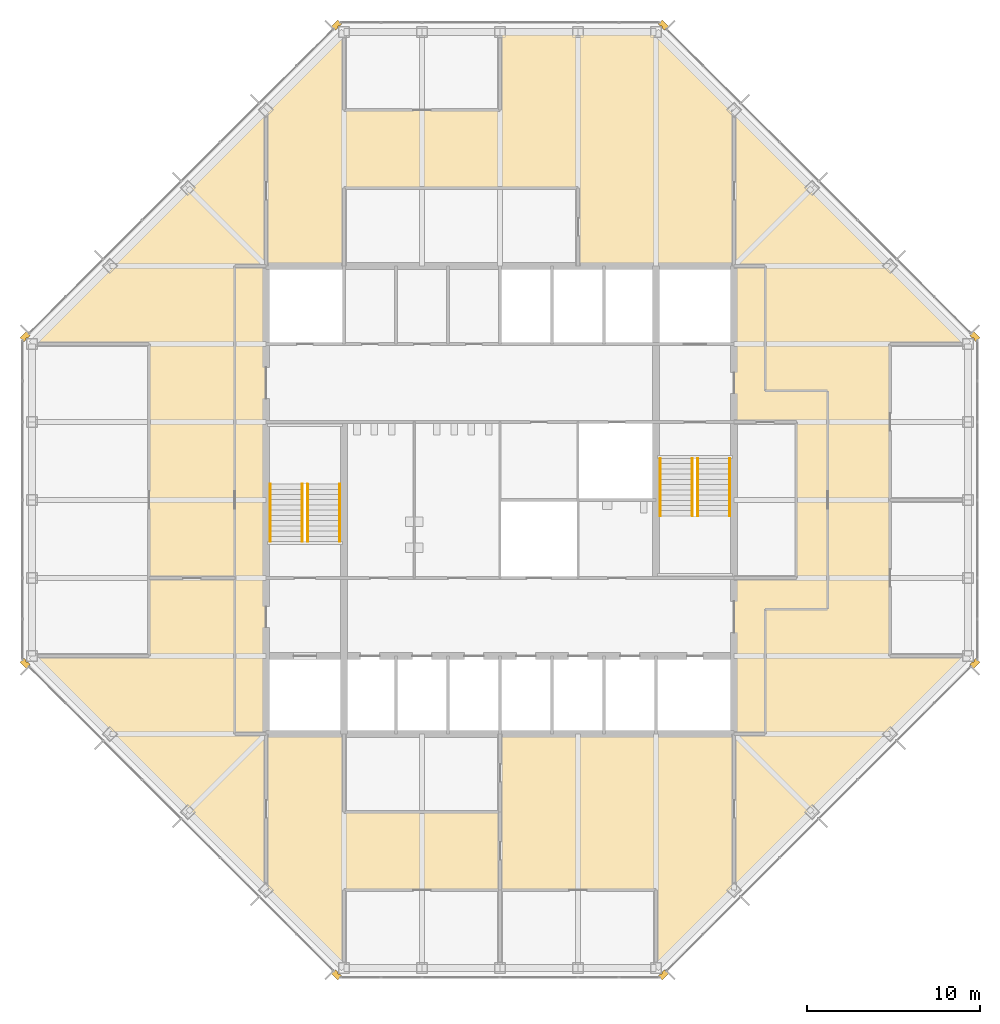
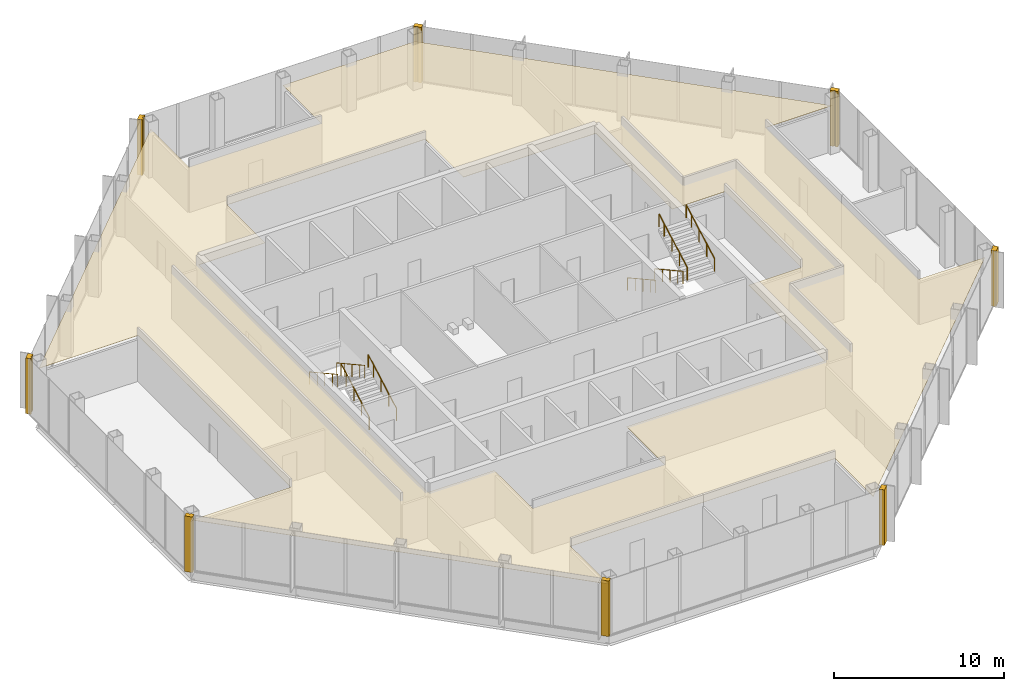
# One storey, part 12 of 13: 9 coverings, 8 railings.
"""IFC4 building model written with IfcOpenShell, lengths in metres."""

from ifc_helpers import new_model, si_unit, direction, frame, origin, origin_2d, place, context, subcontext, project, spatial, polyline, circle, outline, extrude, material, layer, layer_set, type_object, element, save


model = new_model("IFC4")

# Units and contexts
model_context = context("Model", 3, precision=1e-05, world=origin(), true_north=direction((0.0, 1.0)))
body_context = subcontext(model_context, "Body", "Model", "MODEL_VIEW")
ifc_project = project(units=[si_unit("LENGTHUNIT", "METRE"), si_unit("AREAUNIT", "SQUARE_METRE"), si_unit("VOLUMEUNIT", "CUBIC_METRE"), si_unit("PLANEANGLEUNIT", "RADIAN"), si_unit("MASSUNIT", "GRAM", prefix="KILO")], contexts=[model_context])

# Site, building, storey
site_placement = place(None, origin())
site = spatial("IfcSite", under=ifc_project, at=site_placement, CompositionType="ELEMENT")
building_placement = place(site_placement, origin())
building = spatial("IfcBuilding", under=site, at=building_placement, Name="Corais Broadcast Tower", CompositionType="ELEMENT")
storey_placement = place(building_placement, frame((0.0, 0.0, 210.60009765625)))
storey = spatial("IfcBuildingStorey", under=building, at=storey_placement, Name="L48", CompositionType="ELEMENT", Elevation=210.60009765625)

# Railings
ifc_material_1 = material(Name="Stainless steel handrail", Category="steel")
railing_type = type_object("IfcRailingType", Name="Handrail 920", PredefinedType="HANDRAIL", material=ifc_material_1)
for number, where, name in (
    (1, (17.75, 24.60009765625, 0.16650390625), "HR1 L48"),
    (2, (15.89990234375, 24.60009765625, 0.16650390625), "HR1 L48"),
):
    element("IfcRailing", number, at=place(storey_placement, frame(where)), inside=storey, type_object=railing_type, Name=name, PredefinedType="HANDRAIL", context=body_context, shape_type="SweptSolid", body=[
        extrude(circle(Radius=0.02392578125, at=origin_2d()), frame((0.0, 0.0, 0.89599609375), z_axis=(0.0, 0.875504475178, 0.483210010185), x_axis=(-1.0, 0.0, 0.0)), (0.0, 0.0, 1.0), 3.79443359375),
        extrude(circle(Radius=0.02099609375, at=origin_2d()), origin(), (0.0, 0.0, 1.0), 0.871826171875),
        extrude(circle(Radius=0.02099609375, at=origin_2d()), frame((0.0, 0.906005859375, 0.5)), (0.0, 0.0, 1.0), 0.871826171875),
        extrude(circle(Radius=0.02099609375, at=origin_2d()), frame((0.0, 1.81201171875, 1.0)), (0.0, 0.0, 1.0), 0.871826171875),
        extrude(circle(Radius=0.02099609375, at=origin_2d()), frame((0.0, 2.718017578125, 1.500244140625)), (0.0, 0.0, 1.0), 0.871826171875),
        extrude(circle(Radius=0.02099609375, at=origin_2d()), frame((0.0, 3.322021484375, 1.83349609375)), (0.0, 0.0, 1.0), 0.871826171875),
    ])
for number, where, name in (
    (3, (13.75, 27.922119140625, 2.16650390625), "HR1 L48"),
    (4, (15.60009765625, 27.922119140625, 2.16650390625), "HR1 L48"),
    (5, (36.25, 29.39990234375, 0.16650390625), "HR1 L48"),
    (6, (38.10009765625, 29.39990234375, 0.16650390625), "HR1 L48"),
):
    element("IfcRailing", number, at=place(storey_placement, frame(where)), inside=storey, type_object=railing_type, Name=name, PredefinedType="HANDRAIL", context=body_context, shape_type="SweptSolid", body=[
        extrude(circle(Radius=0.02392578125, at=origin_2d()), frame((0.0, 0.0, 0.89599609375), z_axis=(0.0, -0.875504475178, 0.483210010185), x_axis=(1.0, 0.0, 0.0)), (0.0, 0.0, 1.0), 3.79443359375),
        extrude(circle(Radius=0.02099609375, at=origin_2d()), origin(), (0.0, 0.0, 1.0), 0.871826171875),
        extrude(circle(Radius=0.02099609375, at=origin_2d()), frame((0.0, -0.906005859375, 0.5)), (0.0, 0.0, 1.0), 0.871826171875),
        extrude(circle(Radius=0.02099609375, at=origin_2d()), frame((0.0, -1.81201171875, 1.0)), (0.0, 0.0, 1.0), 0.871826171875),
        extrude(circle(Radius=0.02099609375, at=origin_2d()), frame((0.0, -2.718017578125, 1.500244140625)), (0.0, 0.0, 1.0), 0.871826171875),
        extrude(circle(Radius=0.02099609375, at=origin_2d()), frame((0.0, -3.322021484375, 1.83349609375)), (0.0, 0.0, 1.0), 0.871826171875),
    ])
for number, where, name in (
    (7, (40.25, 26.077880859375, 2.16650390625), "HR1 L48"),
    (8, (38.39990234375, 26.077880859375, 2.16650390625), "HR1 L48"),
):
    element("IfcRailing", number, at=place(storey_placement, frame(where)), inside=storey, type_object=railing_type, Name=name, PredefinedType="HANDRAIL", context=body_context, shape_type="SweptSolid", body=[
        extrude(circle(Radius=0.02392578125, at=origin_2d()), frame((0.0, 0.0, 0.89599609375), z_axis=(0.0, 0.875504475178, 0.483210010185), x_axis=(-1.0, 0.0, 0.0)), (0.0, 0.0, 1.0), 3.79443359375),
        extrude(circle(Radius=0.02099609375, at=origin_2d()), origin(), (0.0, 0.0, 1.0), 0.871826171875),
        extrude(circle(Radius=0.02099609375, at=origin_2d()), frame((0.0, 0.906005859375, 0.5)), (0.0, 0.0, 1.0), 0.871826171875),
        extrude(circle(Radius=0.02099609375, at=origin_2d()), frame((0.0, 1.81201171875, 1.0)), (0.0, 0.0, 1.0), 0.871826171875),
        extrude(circle(Radius=0.02099609375, at=origin_2d()), frame((0.0, 2.718017578125, 1.500244140625)), (0.0, 0.0, 1.0), 0.871826171875),
        extrude(circle(Radius=0.02099609375, at=origin_2d()), frame((0.0, 3.322021484375, 1.83349609375)), (0.0, 0.0, 1.0), 0.871826171875),
    ])

# Coverings
ifc_material_2 = material(Name="Granite stone cladding", Category="masonry")
ifc_layer_1 = layer(ifc_material_2, 0.324951171875)
ifc_layer_set_1 = layer_set([ifc_layer_1], Name="Granite stone cladding")
covering_type_1 = type_object("IfcCoveringType", Name="Stone corner pier cladding 500x325", PredefinedType="CLADDING", material=ifc_layer_set_1)
covering_1_placement = place(storey_placement, origin())
element("IfcCovering", 9, at=covering_1_placement, inside=storey, type_object=covering_type_1, Name="SP1 stone corner pier L48", PredefinedType="CLADDING", context=body_context, shape_type="SweptSolid", body=[
    extrude(outline(polyline([(17.860595703125, -0.461669921875), (17.7490234375, -0.35009765625), (17.64990234375, -0.35009765625), (17.64990234375, -0.2509765625), (17.507080078125, -0.108154296875), (17.277099609375, -0.337890625), (17.630859375, -0.69140625), (17.860595703125, -0.461669921875)])), origin(), (0.0, 0.0, 1.0), 4.0),
])
covering_2_placement = place(storey_placement, origin())
element("IfcCovering", 10, at=covering_2_placement, inside=storey, type_object=covering_type_1, Name="SP1 stone corner pier L48", PredefinedType="CLADDING", context=body_context, shape_type="SweptSolid", body=[
    extrude(outline(polyline([(-0.35009765625, 17.7490234375), (-0.461669921875, 17.860595703125), (-0.69140625, 17.630859375), (-0.337890625, 17.277099609375), (-0.108154296875, 17.507080078125), (-0.2509765625, 17.64990234375), (-0.35009765625, 17.64990234375), (-0.35009765625, 17.7490234375)])), origin(), (0.0, 0.0, 1.0), 4.0),
])
covering_3_placement = place(storey_placement, origin())
element("IfcCovering", 11, at=covering_3_placement, inside=storey, type_object=covering_type_1, Name="SP1 stone corner pier L48", PredefinedType="CLADDING", context=body_context, shape_type="SweptSolid", body=[
    extrude(outline(polyline([(-0.461669921875, 36.139404296875), (-0.35009765625, 36.2509765625), (-0.35009765625, 36.35009765625), (-0.2509765625, 36.35009765625), (-0.108154296875, 36.492919921875), (-0.337890625, 36.722900390625), (-0.69140625, 36.369140625), (-0.461669921875, 36.139404296875)])), origin(), (0.0, 0.0, 1.0), 4.0),
])
covering_4_placement = place(storey_placement, origin())
element("IfcCovering", 12, at=covering_4_placement, inside=storey, type_object=covering_type_1, Name="SP1 stone corner pier L48", PredefinedType="CLADDING", context=body_context, shape_type="SweptSolid", body=[
    extrude(outline(polyline([(17.7490234375, 54.35009765625), (17.860595703125, 54.461669921875), (17.630859375, 54.69140625), (17.277099609375, 54.337890625), (17.507080078125, 54.108154296875), (17.64990234375, 54.2509765625), (17.64990234375, 54.35009765625), (17.7490234375, 54.35009765625)])), origin(), (0.0, 0.0, 1.0), 4.0),
])
covering_5_placement = place(storey_placement, origin())
element("IfcCovering", 13, at=covering_5_placement, inside=storey, type_object=covering_type_1, Name="SP1 stone corner pier L48", PredefinedType="CLADDING", context=body_context, shape_type="SweptSolid", body=[
    extrude(outline(polyline([(36.139404296875, 54.461669921875), (36.2509765625, 54.35009765625), (36.35009765625, 54.35009765625), (36.35009765625, 54.2509765625), (36.492919921875, 54.108154296875), (36.722900390625, 54.337890625), (36.369140625, 54.69140625), (36.139404296875, 54.461669921875)])), origin(), (0.0, 0.0, 1.0), 4.0),
])
covering_6_placement = place(storey_placement, origin())
element("IfcCovering", 14, at=covering_6_placement, inside=storey, type_object=covering_type_1, Name="SP1 stone corner pier L48", PredefinedType="CLADDING", context=body_context, shape_type="SweptSolid", body=[
    extrude(outline(polyline([(54.35009765625, 36.2509765625), (54.461669921875, 36.139404296875), (54.69140625, 36.369140625), (54.337890625, 36.722900390625), (54.108154296875, 36.492919921875), (54.2509765625, 36.35009765625), (54.35009765625, 36.35009765625), (54.35009765625, 36.2509765625)])), origin(), (0.0, 0.0, 1.0), 4.0),
])
covering_7_placement = place(storey_placement, origin())
element("IfcCovering", 15, at=covering_7_placement, inside=storey, type_object=covering_type_1, Name="SP1 stone corner pier L48", PredefinedType="CLADDING", context=body_context, shape_type="SweptSolid", body=[
    extrude(outline(polyline([(54.461669921875, 17.860595703125), (54.35009765625, 17.7490234375), (54.35009765625, 17.64990234375), (54.2509765625, 17.64990234375), (54.108154296875, 17.507080078125), (54.337890625, 17.277099609375), (54.69140625, 17.630859375), (54.461669921875, 17.860595703125)])), origin(), (0.0, 0.0, 1.0), 4.0),
])
covering_8_placement = place(storey_placement, origin())
element("IfcCovering", 16, at=covering_8_placement, inside=storey, type_object=covering_type_1, Name="SP1 stone corner pier L48", PredefinedType="CLADDING", context=body_context, shape_type="SweptSolid", body=[
    extrude(outline(polyline([(36.2509765625, -0.35009765625), (36.139404296875, -0.461669921875), (36.369140625, -0.69140625), (36.722900390625, -0.337890625), (36.492919921875, -0.108154296875), (36.35009765625, -0.2509765625), (36.35009765625, -0.35009765625), (36.2509765625, -0.35009765625)])), origin(), (0.0, 0.0, 1.0), 4.0),
])
ifc_material_3 = material(Name="Mineral fibre ceiling tile", Category="mineral")
ifc_layer_2 = layer(ifc_material_3, 0.02001953125)
ifc_layer_set_2 = layer_set([ifc_layer_2], Name="Mineral fibre ceiling tile")
covering_type_2 = type_object("IfcCoveringType", Name="Suspended ceiling", PredefinedType="CEILING", material=ifc_layer_set_2)
covering_9_placement = place(storey_placement, frame((0.0, 0.0, 3.219970703125)))
element("IfcCovering", 17, at=covering_9_placement, inside=storey, type_object=covering_type_2, Name="CE1 ceiling L48", PredefinedType="CEILING", context=body_context, shape_type="SweptSolid", body=[
    extrude(outline(polyline([(13.5, 49.5), (18.0, 54.0), (18.0, 49.5), (27.0, 49.5), (27.0, 54.0), (36.0, 54.0), (54.0, 36.0), (49.5, 36.0), (49.5, 18.0), (54.0, 18.0), (40.500244140625, 4.500244140625), (40.49853515625, 4.49853515625), (40.498291015625, 4.498291015625), (36.0, 0.0), (36.0, 4.5), (18.0, 4.5), (18.0, 0.0), (13.501708984375, 4.498291015625), (13.499755859375, 4.500244140625), (0.0, 18.0), (6.75, 18.0), (6.75, 36.0), (0.0, 36.0), (13.5, 49.5)]), holes=[polyline([(13.5, 13.5), (18.0, 13.5), (18.0, 9.0), (27.0, 9.0), (27.0, 13.5), (40.5, 13.5), (40.5, 22.5), (44.10009765625, 22.5), (44.10009765625, 31.5), (40.5, 31.5), (40.5, 40.5), (31.5, 40.5), (31.5, 45.0), (18.0, 45.0), (18.0, 40.5), (13.5, 40.5), (13.5, 13.5)])]), origin(), (0.0, 0.0, 1.0), 0.02001953125),
])

save(model, "model.ifc")
